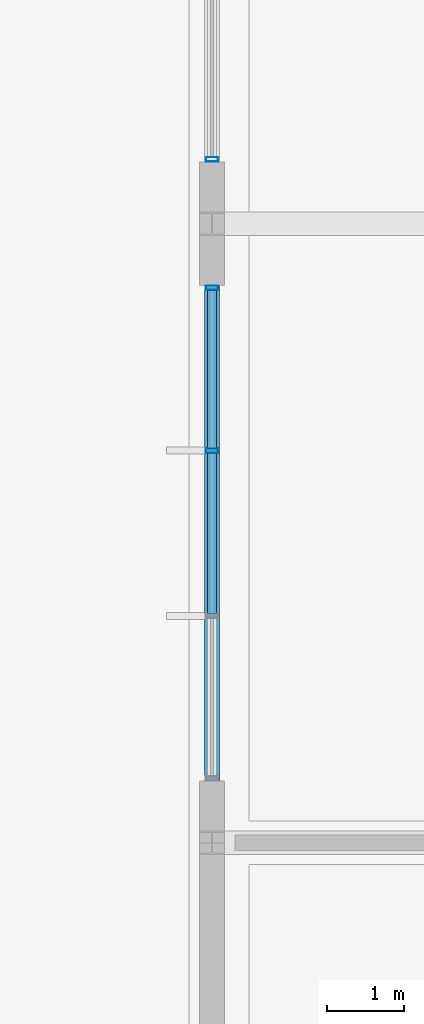
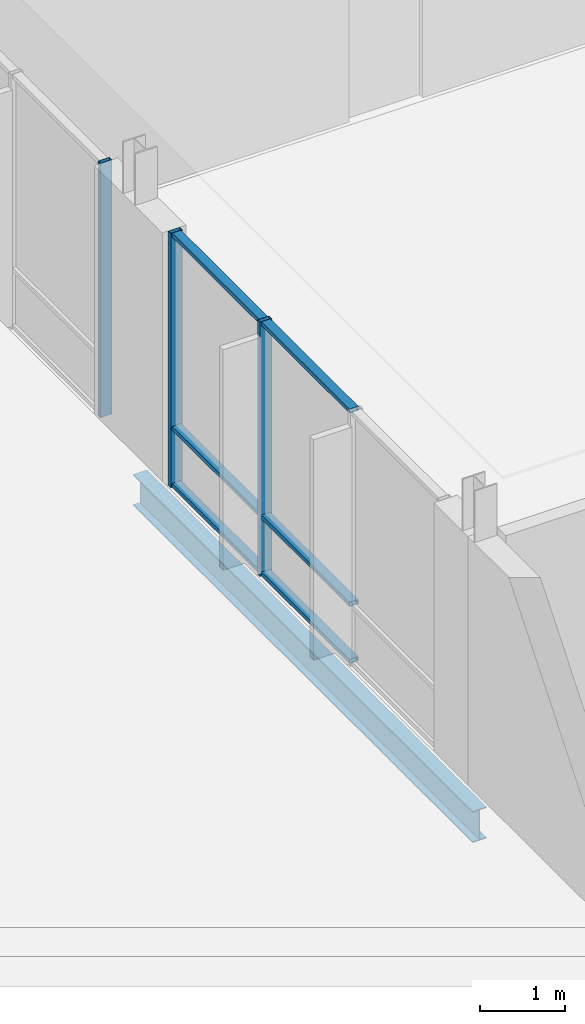
# One storey, part 155 of 233: 9 members, 1 beam, 2 elements without a shape of their own.
"""IFC4 building model written with IfcOpenShell, lengths in metres."""

from ifc_helpers import new_model, si_unit, direction, frame, origin, origin_2d, place, context, subcontext, project, spatial, hollow_rectangle, i_section, extrude, material, material_profile, profile_set, type_object, element, aggregate, save


model = new_model("IFC4")

# Units and contexts
model_context = context("Model", 3, precision=1e-05, world=origin(), true_north=direction((0.0, 1.0)))
body_context = subcontext(model_context, "Body", "Model", "MODEL_VIEW")
ifc_project = project(units=[si_unit("LENGTHUNIT", "METRE"), si_unit("AREAUNIT", "SQUARE_METRE"), si_unit("VOLUMEUNIT", "CUBIC_METRE"), si_unit("PLANEANGLEUNIT", "RADIAN"), si_unit("MASSUNIT", "GRAM", prefix="KILO")], contexts=[model_context])

# Site, building, storey
site_placement = place(None, origin())
site = spatial("IfcSite", under=ifc_project, at=site_placement, CompositionType="ELEMENT")
building_placement = place(site_placement, origin())
building = spatial("IfcBuilding", under=site, at=building_placement, Name="Zavelmont Quarter", CompositionType="ELEMENT")
storey_placement = place(building_placement, origin())
storey = spatial("IfcBuildingStorey", under=building, at=storey_placement, Name="L00", CompositionType="ELEMENT", Elevation=0.0)

# Beam
ifc_material_1 = material(Name="Steel S355", Category="steel")
ifc_material_profile_1 = material_profile(ifc_material_1, i_section(OverallWidth=0.18994140625, OverallDepth=0.449951171875, WebThickness=0.009521484375, FlangeThickness=0.0146484375, at=origin_2d()), Name="IPE 450")
ifc_profile_set_1 = profile_set([ifc_material_profile_1], Name="Steel S355")
beam_type = type_object("IfcBeamType", Name="BM12", PredefinedType="BEAM", material=ifc_profile_set_1)
beam_placement = place(storey_placement, frame((133.5, 54.0, -0.544921875), z_axis=(0.0, 1.0, 0.0), x_axis=(-1.0, 0.0, 0.0)))
element("IfcBeam", 1, at=beam_placement, inside=storey, type_object=beam_type, Name="L00 beam BM12 20/J to 20/K", PredefinedType="BEAM", context=body_context, shape_type="SweptSolid", body=[
    extrude(i_section(OverallWidth=0.18994140625, OverallDepth=0.449951171875, WebThickness=0.009521484375, FlangeThickness=0.0146484375, at=origin_2d()), origin(), (0.0, 0.0, 1.0), 8.0),
])

# Curtain wall, members
ifc_material_2 = material(Name="Thermally broken aluminium and double low-E safety glazing", Category="aluminium")
curtain_wall_type = type_object("IfcCurtainWallType", Name="CW-640X366", PredefinedType="NOTDEFINED", material=ifc_material_2)
curtain_wall_1_placement = place(storey_placement, origin())
curtain_wall_1 = element("IfcCurtainWall", 2, at=curtain_wall_1_placement, inside=storey, type_object=curtain_wall_type, Name="L00 unitised curtain wall CW-640X366", PredefinedType="NOTDEFINED")
ifc_material_3 = material(Name="Powder-coated aluminium EN AW-6063-T6", Category="aluminium")
ifc_material_profile_2 = material_profile(ifc_material_3, hollow_rectangle(XDim=0.06005859375, YDim=0.159912109375, WallThickness=0.00390625, at=origin_2d()), Name="CWM60X160")
ifc_profile_set_2 = profile_set([ifc_material_profile_2], Name="Powder-coated aluminium EN AW-6063-T6")
member_type_1 = type_object("IfcMemberType", Name="CWM01", PredefinedType="MULLION", material=ifc_profile_set_2)
member_1_placement = place(storey_placement, frame((133.5, 59.066650390625, 0.0), z_axis=(0.0, 0.0, 1.0), x_axis=(0.0, 1.0, 0.0)))
member_1 = element("IfcMember", 3, at=member_1_placement, type_object=member_type_1, Name="CW-640X366 mullion 3", PredefinedType="MULLION", context=body_context, shape_type="SweptSolid", body=[
    extrude(hollow_rectangle(XDim=0.06005859375, YDim=0.159912109375, WallThickness=0.00390625, at=origin_2d()), origin(), (0.0, 0.0, 1.0), 3.659912109375),
])
member_2_placement = place(storey_placement, frame((133.5, 61.169921875, 0.0), z_axis=(0.0, 0.0, 1.0), x_axis=(0.0, 1.0, 0.0)))
member_2 = element("IfcMember", 4, at=member_2_placement, type_object=member_type_1, Name="CW-640X366 mullion 4", PredefinedType="MULLION", context=body_context, shape_type="SweptSolid", body=[
    extrude(hollow_rectangle(XDim=0.06005859375, YDim=0.159912109375, WallThickness=0.00390625, at=origin_2d()), origin(), (0.0, 0.0, 1.0), 3.659912109375),
])

# Curtain wall, member
curtain_wall_2_placement = place(storey_placement, origin())
curtain_wall_2 = element("IfcCurtainWall", 5, at=curtain_wall_2_placement, inside=storey, type_object=curtain_wall_type, Name="L00 unitised curtain wall CW-640X366", PredefinedType="NOTDEFINED")
member_3_placement = place(storey_placement, frame((133.5, 62.830078125, 0.0), z_axis=(0.0, 0.0, 1.0), x_axis=(0.0, 1.0, 0.0)))
member_3 = element("IfcMember", 6, at=member_3_placement, type_object=member_type_1, Name="CW-640X366 mullion 1", PredefinedType="MULLION", context=body_context, shape_type="SweptSolid", body=[
    extrude(hollow_rectangle(XDim=0.06005859375, YDim=0.159912109375, WallThickness=0.00390625, at=origin_2d()), origin(), (0.0, 0.0, 1.0), 3.659912109375),
])
aggregate(curtain_wall_2, [member_3])

# Member
ifc_material_profile_3 = material_profile(ifc_material_3, hollow_rectangle(XDim=0.1201171875, YDim=0.06005859375, WallThickness=0.00390625, at=origin_2d()), Name="CWT60X120")
ifc_profile_set_3 = profile_set([ifc_material_profile_3], Name="Powder-coated aluminium EN AW-6063-T6")
member_type_2 = type_object("IfcMemberType", Name="CWT01", PredefinedType="NOTDEFINED", material=ifc_profile_set_3)
member_4_placement = place(storey_placement, frame((133.5, 56.96337890625, 0.030029296875), z_axis=(0.0, 1.0, 0.0), x_axis=(-1.0, 0.0, 0.0)))
member_4 = element("IfcMember", 7, at=member_4_placement, type_object=member_type_2, Name="CW-640X366 transom 2.1", ObjectType="TRANSOM", PredefinedType="USERDEFINED", context=body_context, shape_type="SweptSolid", body=[
    extrude(hollow_rectangle(XDim=0.1201171875, YDim=0.06005859375, WallThickness=0.00390625, at=origin_2d()), origin(), (0.0, 0.0, 1.0), 2.0732421875),
])

member_5_placement = place(storey_placement, frame((133.5, 56.96337890625, 0.85009765625), z_axis=(0.0, 1.0, 0.0), x_axis=(-1.0, 0.0, 0.0)))
member_5 = element("IfcMember", 8, at=member_5_placement, type_object=member_type_2, Name="CW-640X366 transom 2.2", ObjectType="TRANSOM", PredefinedType="USERDEFINED", context=body_context, shape_type="SweptSolid", body=[
    extrude(hollow_rectangle(XDim=0.1201171875, YDim=0.06005859375, WallThickness=0.00390625, at=origin_2d()), origin(), (0.0, 0.0, 1.0), 2.0732421875),
])

member_6_placement = place(storey_placement, frame((133.5, 56.96337890625, 3.6298828125), z_axis=(0.0, 1.0, 0.0), x_axis=(-1.0, 0.0, 0.0)))
member_6 = element("IfcMember", 9, at=member_6_placement, type_object=member_type_2, Name="CW-640X366 transom 2.3", ObjectType="TRANSOM", PredefinedType="USERDEFINED", context=body_context, shape_type="SweptSolid", body=[
    extrude(hollow_rectangle(XDim=0.1201171875, YDim=0.06005859375, WallThickness=0.00390625, at=origin_2d()), origin(), (0.0, 0.0, 1.0), 2.0732421875),
])

member_7_placement = place(storey_placement, frame((133.5, 59.0966796875, 0.030029296875), z_axis=(0.0, 1.0, 0.0), x_axis=(-1.0, 0.0, 0.0)))
member_7 = element("IfcMember", 10, at=member_7_placement, type_object=member_type_2, Name="CW-640X366 transom 3.1", ObjectType="TRANSOM", PredefinedType="USERDEFINED", context=body_context, shape_type="SweptSolid", body=[
    extrude(hollow_rectangle(XDim=0.1201171875, YDim=0.06005859375, WallThickness=0.00390625, at=origin_2d()), origin(), (0.0, 0.0, 1.0), 2.043212890625),
])

member_8_placement = place(storey_placement, frame((133.5, 59.0966796875, 0.85009765625), z_axis=(0.0, 1.0, 0.0), x_axis=(-1.0, 0.0, 0.0)))
member_8 = element("IfcMember", 11, at=member_8_placement, type_object=member_type_2, Name="CW-640X366 transom 3.2", ObjectType="TRANSOM", PredefinedType="USERDEFINED", context=body_context, shape_type="SweptSolid", body=[
    extrude(hollow_rectangle(XDim=0.1201171875, YDim=0.06005859375, WallThickness=0.00390625, at=origin_2d()), origin(), (0.0, 0.0, 1.0), 2.043212890625),
])

member_9_placement = place(storey_placement, frame((133.5, 59.0966796875, 3.6298828125), z_axis=(0.0, 1.0, 0.0), x_axis=(-1.0, 0.0, 0.0)))
member_9 = element("IfcMember", 12, at=member_9_placement, type_object=member_type_2, Name="CW-640X366 transom 3.3", ObjectType="TRANSOM", PredefinedType="USERDEFINED", context=body_context, shape_type="SweptSolid", body=[
    extrude(hollow_rectangle(XDim=0.1201171875, YDim=0.06005859375, WallThickness=0.00390625, at=origin_2d()), origin(), (0.0, 0.0, 1.0), 2.043212890625),
])

aggregate(curtain_wall_1, [member_1, member_2, member_4, member_5, member_6, member_7, member_8, member_9])

save(model, "model.ifc")
